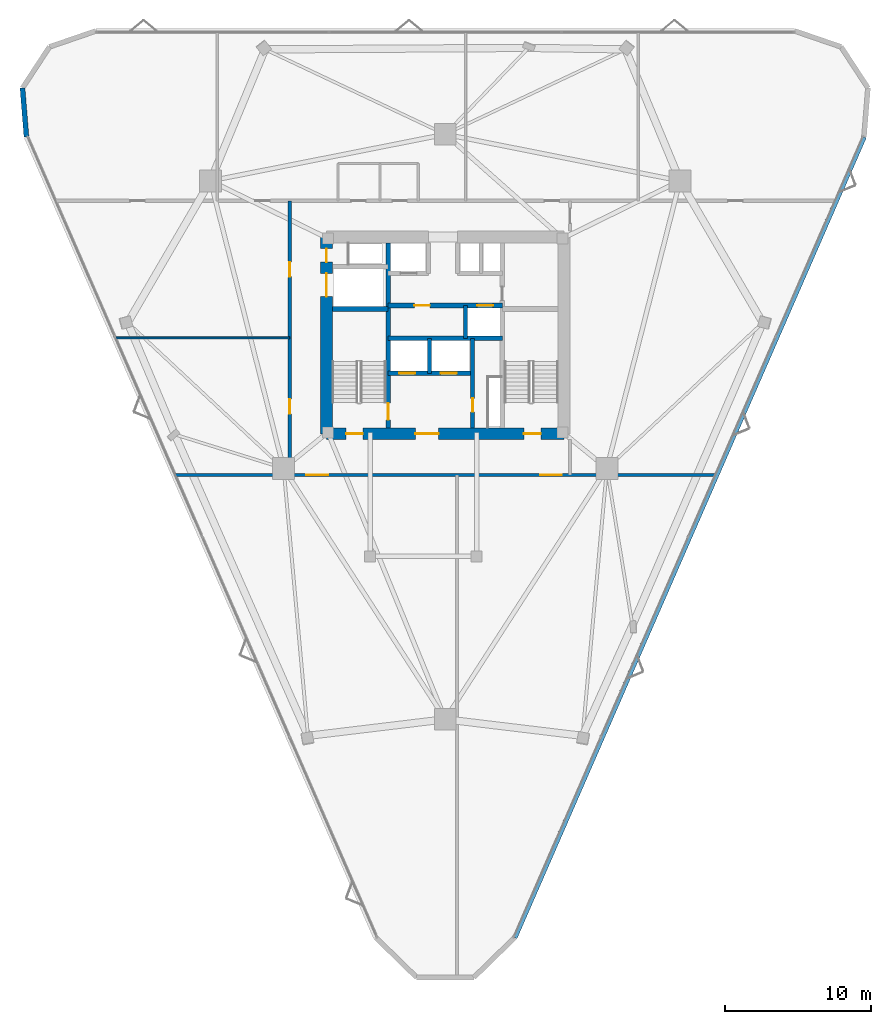
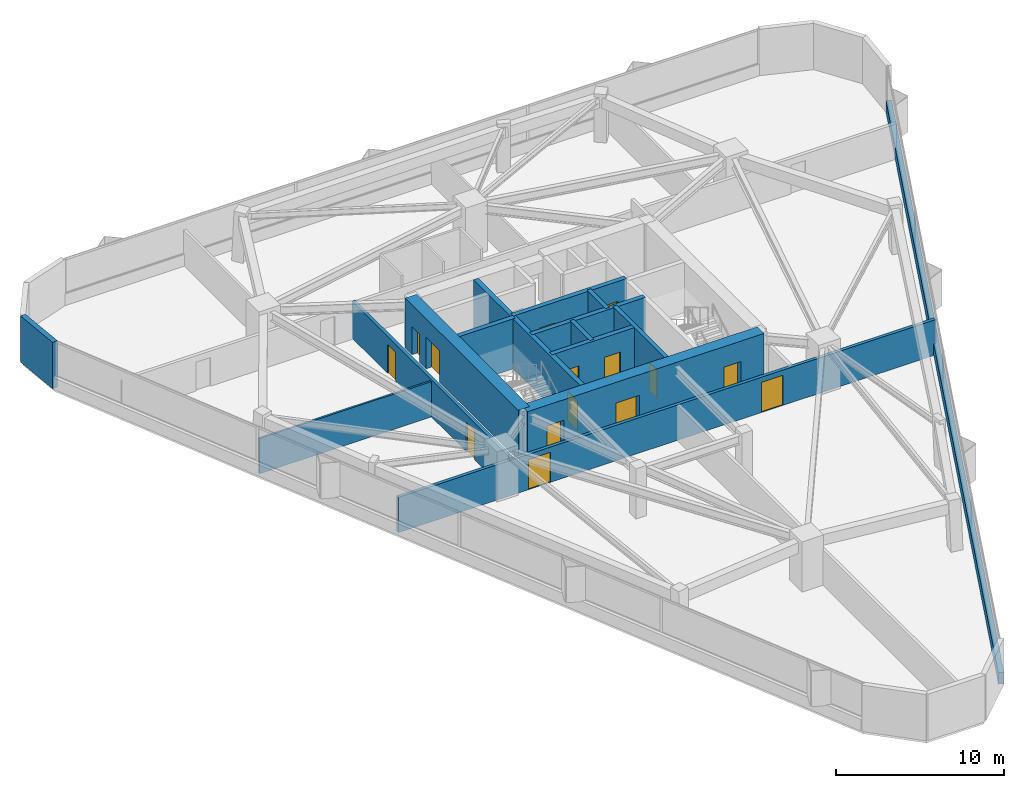
# One storey, part 12 of 14: 15 doors, 15 walls, 15 openings.
"""IFC4 building model written with IfcOpenShell, lengths in metres."""

from ifc_helpers import new_model, si_unit, direction, frame, frame_2d, origin, place, context, subcontext, project, spatial, rectangle, extrude, material, layer, layer_set, type_object, element, fill, save


model = new_model("IFC4")

# Units and contexts
model_context = context("Model", 3, precision=1e-05, world=origin(), true_north=direction((0.0, 1.0)))
body_context = subcontext(model_context, "Body", "Model", "MODEL_VIEW")
ifc_project = project(units=[si_unit("LENGTHUNIT", "METRE"), si_unit("AREAUNIT", "SQUARE_METRE"), si_unit("VOLUMEUNIT", "CUBIC_METRE"), si_unit("PLANEANGLEUNIT", "RADIAN"), si_unit("MASSUNIT", "GRAM", prefix="KILO")], contexts=[model_context])

# Site, building, storey
site_placement = place(None, origin())
site = spatial("IfcSite", under=ifc_project, at=site_placement, CompositionType="ELEMENT")
building_placement = place(site_placement, origin())
building = spatial("IfcBuilding", under=site, at=building_placement, Name="Talyreon Biosciences Tower", CompositionType="ELEMENT")
storey_placement = place(building_placement, frame((0.0, 0.0, 138.14990234375)))
storey = spatial("IfcBuildingStorey", under=building, at=storey_placement, Name="L36", CompositionType="ELEMENT", Elevation=138.14990234375)

# Wall
ifc_material_1 = material(Name="Concrete C50/60", Category="concrete")
ifc_layer_1 = layer(ifc_material_1, 0.280029296875)
ifc_layer_set_1 = layer_set([ifc_layer_1], Name="Concrete C50/60")
wall_type_1 = type_object("IfcWallType", Name="CoreShearWall_280", PredefinedType="SHEAR", material=ifc_layer_set_1)
wall_1_placement = place(storey_placement, frame((64.919921875, 65.39990234375, 0.0), z_axis=(0.0, 0.0, 1.0), x_axis=(0.0, 1.0, 0.0)))
element("IfcWall", 1, at=wall_1_placement, inside=storey, type_object=wall_type_1, Name="L36 Core Shaft Wall SWSHD1", PredefinedType="SHEAR", context=body_context, shape_type="SweptSolid", body=[
    extrude(rectangle(XDim=2.400146484375, YDim=0.280029296875, at=frame_2d((1.2001953125, 0.0))), origin(), (0.0, 0.0, 1.0), 3.650146484375),
])

# Wall, opening, door
wall_2_placement = place(storey_placement, frame((67.8798828125, 61.64990234375, 0.0), z_axis=(0.0, 0.0, 1.0), x_axis=(0.0, 1.0, 0.0)))
wall_2 = element("IfcWall", 2, at=wall_2_placement, inside=storey, type_object=wall_type_1, Name="L36 Core Shaft Wall SWFFE", PredefinedType="SHEAR", context=body_context, shape_type="SweptSolid", body=[
    extrude(rectangle(XDim=6.150146484375, YDim=0.280029296875, at=frame_2d((3.0751953125, 0.0))), origin(), (0.0, 0.0, 1.0), 3.650146484375),
])
opening_1_placement = place(wall_2_placement, frame((1.10009765625, 0.0, 0.0)))
opening_1 = element("IfcOpeningElement", 3, at=opening_1_placement, cuts=wall_2, Name="Opening DR-L36-RSE", PredefinedType="OPENING", context=body_context, shape_type="SweptSolid", body=[
    extrude(rectangle(XDim=0.919921875, YDim=2.050048828125, at=frame_2d((0.4599609375, 1.02490234375))), frame((0.0, 0.14990234375, 0.0), z_axis=(0.0, -1.0, 0.0), x_axis=(1.0, 0.0, 0.0)), (0.0, 0.0, 1.0), 0.300048828125),
])
ifc_material_2 = material(Name="Painted steel fire-rated riser door", Category="steel")
door_type_1 = type_object("IfcDoorType", Name="RiserPlantAccessDoor_920x2050", OperationType="NOTDEFINED", PredefinedType="DOOR", material=ifc_material_2)
door_1_placement = place(opening_1_placement, origin())
door_1 = element("IfcDoor", 4, at=door_1_placement, inside=storey, type_object=door_type_1, Name="L36 Core Door DR-L36-RSE", OperationType="SINGLE_SWING_RIGHT", OverallHeight=2.050048828125, OverallWidth=0.919921875, PredefinedType="DOOR", context=body_context, shape_type="SweptSolid", body=[
    extrude(rectangle(XDim=0.919921875, YDim=2.050048828125, at=frame_2d((0.4599609375, 1.02490234375))), frame((0.0, 0.02490234375, 0.0), z_axis=(0.0, -1.0, 0.0), x_axis=(1.0, 0.0, 0.0)), (0.0, 0.0, 1.0), 0.050048828125),
])
fill(opening_1, door_1)

# Wall
wall_3_placement = place(storey_placement, frame((67.3798828125, 67.800048828125, 0.0), z_axis=(0.0, 0.0, 1.0), x_axis=(0.0, 1.0, 0.0)))
element("IfcWall", 5, at=wall_3_placement, inside=storey, type_object=wall_type_1, Name="L36 Core Shaft Wall SWPMD", PredefinedType="SHEAR", context=body_context, shape_type="SweptSolid", body=[
    extrude(rectangle(XDim=2.25, YDim=0.280029296875, at=frame_2d((1.125, 0.0))), origin(), (0.0, 0.0, 1.0), 3.650146484375),
])

# Wall, opening, door
ifc_layer_2 = layer(ifc_material_1, 0.320068359375)
ifc_layer_set_2 = layer_set([ifc_layer_2], Name="Concrete C50/60")
wall_type_2 = type_object("IfcWallType", Name="CoreShearWall_320", PredefinedType="SHEAR", material=ifc_layer_set_2)
wall_4_placement = place(storey_placement, frame((62.090087890625, 61.64990234375, 0.0), z_axis=(0.0, 0.0, 1.0), x_axis=(0.0, 1.0, 0.0)))
wall_4 = element("IfcWall", 6, at=wall_4_placement, inside=storey, type_object=wall_type_2, Name="L36 Core Shaft Wall SW1E", PredefinedType="SHEAR", context=body_context, shape_type="SweptSolid", body=[
    extrude(rectangle(XDim=12.7001953125, YDim=0.320068359375, at=frame_2d((6.35009765625, 0.0))), origin(), (0.0, 0.0, 1.0), 3.650146484375),
])
opening_2_placement = place(wall_4_placement, frame((0.550048828125, 0.0, 0.0)))
opening_2 = element("IfcOpeningElement", 7, at=opening_2_placement, cuts=wall_4, Name="Opening DR-L36-FF-ST1", PredefinedType="OPENING", context=body_context, shape_type="SweptSolid", body=[
    extrude(rectangle(XDim=1.14990234375, YDim=2.14990234375, at=frame_2d((0.574951171875, 1.074951171875))), frame((0.0, 0.169921875, 0.0), z_axis=(0.0, -1.0, 0.0), x_axis=(1.0, 0.0, 0.0)), (0.0, 0.0, 1.0), 0.340087890625),
])
ifc_material_3 = material(Name="Painted steel fire door", Category="steel")
door_type_2 = type_object("IfcDoorType", Name="StairShaftFireDoor_1150x2150", OperationType="NOTDEFINED", PredefinedType="DOOR", material=ifc_material_3)
door_2_placement = place(opening_2_placement, origin())
door_2 = element("IfcDoor", 8, at=door_2_placement, inside=storey, type_object=door_type_2, Name="L36 Core Door DR-L36-FF-ST1", OperationType="SINGLE_SWING_LEFT", OverallHeight=2.14990234375, OverallWidth=1.14990234375, PredefinedType="DOOR", context=body_context, shape_type="SweptSolid", body=[
    extrude(rectangle(XDim=1.14990234375, YDim=2.14990234375, at=frame_2d((0.574951171875, 1.074951171875))), frame((0.0, 0.02490234375, 0.0), z_axis=(0.0, -1.0, 0.0), x_axis=(1.0, 0.0, 0.0)), (0.0, 0.0, 1.0), 0.050048828125),
])
fill(opening_2, door_2)

# Walls
wall_5_placement = place(storey_placement, frame((58.25, 69.81005859375, 0.0), z_axis=(0.0, 0.0, 1.0), x_axis=(1.0, 0.0, 0.0)))
element("IfcWall", 9, at=wall_5_placement, inside=storey, type_object=wall_type_2, Name="L36 Core Shaft Wall SW1N", PredefinedType="SHEAR", context=body_context, shape_type="SweptSolid", body=[
    extrude(rectangle(XDim=3.840087890625, YDim=0.320068359375, at=frame_2d((1.919921875, 0.0))), origin(), (0.0, 0.0, 1.0), 3.650146484375),
])
wall_6_placement = place(storey_placement, frame((62.090087890625, 67.800048828125, 0.0), z_axis=(0.0, 0.0, 1.0), x_axis=(1.0, 0.0, 0.0)))
element("IfcWall", 10, at=wall_6_placement, inside=storey, type_object=wall_type_2, Name="L36 Core Shaft Wall SWSHM", PredefinedType="SHEAR", context=body_context, shape_type="SweptSolid", body=[
    extrude(rectangle(XDim=7.81982421875, YDim=0.320068359375, at=frame_2d((3.909912109375, 0.0))), origin(), (0.0, 0.0, 1.0), 3.650146484375),
])

# Wall, openings, doors
wall_7_placement = place(storey_placement, frame((62.090087890625, 70.050048828125, 0.0), z_axis=(0.0, 0.0, 1.0), x_axis=(1.0, 0.0, 0.0)))
wall_7 = element("IfcWall", 11, at=wall_7_placement, inside=storey, type_object=wall_type_2, Name="L36 Core Shaft Wall SWSPN", PredefinedType="SHEAR", context=body_context, shape_type="SweptSolid", body=[
    extrude(rectangle(XDim=7.81982421875, YDim=0.320068359375, at=frame_2d((3.909912109375, 0.0))), origin(), (0.0, 0.0, 1.0), 3.650146484375),
])
opening_3_placement = place(wall_7_placement, frame((1.800048828125, 0.0, 0.0)))
opening_3 = element("IfcOpeningElement", 12, at=opening_3_placement, cuts=wall_7, Name="Opening DR-L36-PLFREE-A", PredefinedType="OPENING", context=body_context, shape_type="SweptSolid", body=[
    extrude(rectangle(XDim=1.050048828125, YDim=2.14990234375, at=frame_2d((0.52490234375, 1.074951171875))), frame((0.0, 0.169921875, 0.0), z_axis=(0.0, -1.0, 0.0), x_axis=(1.0, 0.0, 0.0)), (0.0, 0.0, 1.0), 0.340087890625),
])
opening_4_placement = place(wall_7_placement, frame((6.10009765625, 0.0, 0.0)))
opening_4 = element("IfcOpeningElement", 13, at=opening_4_placement, cuts=wall_7, Name="Opening LD-L36-PM1", PredefinedType="OPENING", context=body_context, shape_type="SweptSolid", body=[
    extrude(rectangle(XDim=1.10009765625, YDim=2.199951171875, at=frame_2d((0.550048828125, 1.10009765625))), frame((0.0, 0.169921875, 0.0), z_axis=(0.0, -1.0, 0.0), x_axis=(1.0, 0.0, 0.0)), (0.0, 0.0, 1.0), 0.340087890625),
])
ifc_material_4 = material(Name="Acoustic timber-core laboratory door", Category="wood")
door_type_3 = type_object("IfcDoorType", Name="DryLabSingleDoor_1050x2150", OperationType="NOTDEFINED", PredefinedType="DOOR", material=ifc_material_4)
door_3_placement = place(opening_3_placement, origin())
door_3 = element("IfcDoor", 14, at=door_3_placement, inside=storey, type_object=door_type_3, Name="L36 Core Door DR-L36-PLFREE-A", OperationType="SINGLE_SWING_LEFT", OverallHeight=2.14990234375, OverallWidth=1.050048828125, PredefinedType="DOOR", context=body_context, shape_type="SweptSolid", body=[
    extrude(rectangle(XDim=1.050048828125, YDim=2.14990234375, at=frame_2d((0.52490234375, 1.074951171875))), frame((0.0, 0.02490234375, 0.0), z_axis=(0.0, -1.0, 0.0), x_axis=(1.0, 0.0, 0.0)), (0.0, 0.0, 1.0), 0.050048828125),
])
fill(opening_3, door_3)
ifc_material_5 = material(Name="Brushed stainless-steel lift landing door", Category="steel")
door_type_4 = type_object("IfcDoorType", Name="LiftSlidingLandingDoor_1100x2200", OperationType="SLIDING_TO_LEFT", PredefinedType="DOOR", material=ifc_material_5)
door_4_placement = place(opening_4_placement, origin())
door_4 = element("IfcDoor", 15, at=door_4_placement, inside=storey, type_object=door_type_4, Name="L36 Core Door LD-L36-PM1", OperationType="SLIDING_TO_LEFT", OverallHeight=2.199951171875, OverallWidth=1.10009765625, PredefinedType="DOOR", context=body_context, shape_type="SweptSolid", body=[
    extrude(rectangle(XDim=1.10009765625, YDim=2.199951171875, at=frame_2d((0.550048828125, 1.10009765625))), frame((0.0, 0.02490234375, 0.0), z_axis=(0.0, -1.0, 0.0), x_axis=(1.0, 0.0, 0.0)), (0.0, 0.0, 1.0), 0.050048828125),
])
fill(opening_4, door_4)

wall_8_placement = place(storey_placement, frame((62.090087890625, 65.39990234375, 0.0), z_axis=(0.0, 0.0, 1.0), x_axis=(1.0, 0.0, 0.0)))
wall_8 = element("IfcWall", 16, at=wall_8_placement, inside=storey, type_object=wall_type_2, Name="L36 Core Shaft Wall SWFFN", PredefinedType="SHEAR", context=body_context, shape_type="SweptSolid", body=[
    extrude(rectangle(XDim=5.789794921875, YDim=0.320068359375, at=frame_2d((2.89501953125, 0.0))), origin(), (0.0, 0.0, 1.0), 3.650146484375),
])
opening_5_placement = place(wall_8_placement, frame((0.75, 0.0, 0.0)))
opening_5 = element("IfcOpeningElement", 17, at=opening_5_placement, cuts=wall_8, Name="Opening LD-L36-FL1", PredefinedType="OPENING", context=body_context, shape_type="SweptSolid", body=[
    extrude(rectangle(XDim=1.10009765625, YDim=2.199951171875, at=frame_2d((0.550048828125, 1.10009765625))), frame((0.0, 0.169921875, 0.0), z_axis=(0.0, -1.0, 0.0), x_axis=(1.0, 0.0, 0.0)), (0.0, 0.0, 1.0), 0.340087890625),
])
opening_6_placement = place(wall_8_placement, frame((3.60009765625, 0.0, 0.0)))
opening_6 = element("IfcOpeningElement", 18, at=opening_6_placement, cuts=wall_8, Name="Opening LD-L36-FL2", PredefinedType="OPENING", context=body_context, shape_type="SweptSolid", body=[
    extrude(rectangle(XDim=1.10009765625, YDim=2.199951171875, at=frame_2d((0.550048828125, 1.10009765625))), frame((0.0, 0.169921875, 0.0), z_axis=(0.0, -1.0, 0.0), x_axis=(1.0, 0.0, 0.0)), (0.0, 0.0, 1.0), 0.340087890625),
])
door_5_placement = place(opening_5_placement, origin())
door_5 = element("IfcDoor", 19, at=door_5_placement, inside=storey, type_object=door_type_4, Name="L36 Core Door LD-L36-FL1", OperationType="SLIDING_TO_LEFT", OverallHeight=2.199951171875, OverallWidth=1.10009765625, PredefinedType="DOOR", context=body_context, shape_type="SweptSolid", body=[
    extrude(rectangle(XDim=1.10009765625, YDim=2.199951171875, at=frame_2d((0.550048828125, 1.10009765625))), frame((0.0, 0.02490234375, 0.0), z_axis=(0.0, -1.0, 0.0), x_axis=(1.0, 0.0, 0.0)), (0.0, 0.0, 1.0), 0.050048828125),
])
fill(opening_5, door_5)
door_6_placement = place(opening_6_placement, origin())
door_6 = element("IfcDoor", 20, at=door_6_placement, inside=storey, type_object=door_type_4, Name="L36 Core Door LD-L36-FL2", OperationType="SLIDING_TO_LEFT", OverallHeight=2.199951171875, OverallWidth=1.10009765625, PredefinedType="DOOR", context=body_context, shape_type="SweptSolid", body=[
    extrude(rectangle(XDim=1.10009765625, YDim=2.199951171875, at=frame_2d((0.550048828125, 1.10009765625))), frame((0.0, 0.02490234375, 0.0), z_axis=(0.0, -1.0, 0.0), x_axis=(1.0, 0.0, 0.0)), (0.0, 0.0, 1.0), 0.050048828125),
])
fill(opening_6, door_6)

ifc_material_6 = material(Name="Concrete C60/75", Category="concrete")
ifc_layer_3 = layer(ifc_material_6, 0.800048828125)
ifc_layer_set_3 = layer_set([ifc_layer_3], Name="Concrete C60/75")
wall_type_3 = type_object("IfcWallType", Name="CoreShearWall_800", PredefinedType="SHEAR", material=ifc_layer_set_3)
wall_9_placement = place(storey_placement, frame((57.85009765625, 61.25, 0.0), z_axis=(0.0, 0.0, 1.0), x_axis=(1.0, 0.0, 0.0)))
wall_9 = element("IfcWall", 21, at=wall_9_placement, inside=storey, type_object=wall_type_3, Name="L36 Core Shear Wall S", PredefinedType="SHEAR", context=body_context, shape_type="SweptSolid", body=[
    extrude(rectangle(XDim=16.2998046875, YDim=0.800048828125, at=frame_2d((8.14990234375, 0.0))), origin(), (0.0, 0.0, 1.0), 3.650146484375),
])
opening_7_placement = place(wall_9_placement, frame((1.35009765625, 0.0, 0.0)))
opening_7 = element("IfcOpeningElement", 22, at=opening_7_placement, cuts=wall_9, Name="Opening DR-L36-ST1", PredefinedType="OPENING", context=body_context, shape_type="SweptSolid", body=[
    extrude(rectangle(XDim=1.14990234375, YDim=2.14990234375, at=frame_2d((0.574951171875, 1.074951171875))), frame((0.0, 0.409912109375, 0.0), z_axis=(0.0, -1.0, 0.0), x_axis=(1.0, 0.0, 0.0)), (0.0, 0.0, 1.0), 0.820068359375),
])
opening_8_placement = place(wall_9_placement, frame((6.10009765625, 0.0, 0.0)))
opening_8 = element("IfcOpeningElement", 23, at=opening_8_placement, cuts=wall_9, Name="Opening DR-L36-FFL", PredefinedType="OPENING", context=body_context, shape_type="SweptSolid", body=[
    extrude(rectangle(XDim=1.60009765625, YDim=2.14990234375, at=frame_2d((0.800048828125, 1.074951171875))), frame((0.0, 0.409912109375, 0.0), z_axis=(0.0, -1.0, 0.0), x_axis=(1.0, 0.0, 0.0)), (0.0, 0.0, 1.0), 0.820068359375),
])
opening_9_placement = place(wall_9_placement, frame((13.550048828125, 0.0, 0.0)))
opening_9 = element("IfcOpeningElement", 24, at=opening_9_placement, cuts=wall_9, Name="Opening DR-L36-ST2", PredefinedType="OPENING", context=body_context, shape_type="SweptSolid", body=[
    extrude(rectangle(XDim=1.14990234375, YDim=2.14990234375, at=frame_2d((0.574951171875, 1.074951171875))), frame((0.0, 0.409912109375, 0.0), z_axis=(0.0, -1.0, 0.0), x_axis=(1.0, 0.0, 0.0)), (0.0, 0.0, 1.0), 0.820068359375),
])
ifc_material_7 = material(Name="Painted steel smoke-seal fire door", Category="steel")
door_type_5 = type_object("IfcDoorType", Name="FirefightingLobbyDoubleDoor_1600x2150", OperationType="DOUBLE_DOOR_SINGLE_SWING", PredefinedType="DOOR", material=ifc_material_7)
door_7_placement = place(opening_8_placement, origin())
door_7 = element("IfcDoor", 25, at=door_7_placement, inside=storey, type_object=door_type_5, Name="L36 Core Door DR-L36-FFL", OperationType="DOUBLE_DOOR_SINGLE_SWING", OverallHeight=2.14990234375, OverallWidth=1.60009765625, PredefinedType="DOOR", context=body_context, shape_type="SweptSolid", body=[
    extrude(rectangle(XDim=1.60009765625, YDim=2.14990234375, at=frame_2d((0.800048828125, 1.074951171875))), frame((0.0, 0.02490234375, 0.0), z_axis=(0.0, -1.0, 0.0), x_axis=(1.0, 0.0, 0.0)), (0.0, 0.0, 1.0), 0.050048828125),
])
fill(opening_8, door_7)
door_8_placement = place(opening_7_placement, origin())
door_8 = element("IfcDoor", 26, at=door_8_placement, inside=storey, type_object=door_type_2, Name="L36 Core Door DR-L36-ST1", OperationType="SINGLE_SWING_LEFT", OverallHeight=2.14990234375, OverallWidth=1.14990234375, PredefinedType="DOOR", context=body_context, shape_type="SweptSolid", body=[
    extrude(rectangle(XDim=1.14990234375, YDim=2.14990234375, at=frame_2d((0.574951171875, 1.074951171875))), frame((0.0, 0.02490234375, 0.0), z_axis=(0.0, -1.0, 0.0), x_axis=(1.0, 0.0, 0.0)), (0.0, 0.0, 1.0), 0.050048828125),
])
fill(opening_7, door_8)
door_9_placement = place(opening_9_placement, origin())
door_9 = element("IfcDoor", 27, at=door_9_placement, inside=storey, type_object=door_type_2, Name="L36 Core Door DR-L36-ST2", OperationType="SINGLE_SWING_RIGHT", OverallHeight=2.14990234375, OverallWidth=1.14990234375, PredefinedType="DOOR", context=body_context, shape_type="SweptSolid", body=[
    extrude(rectangle(XDim=1.14990234375, YDim=2.14990234375, at=frame_2d((0.574951171875, 1.074951171875))), frame((0.0, 0.02490234375, 0.0), z_axis=(0.0, -1.0, 0.0), x_axis=(1.0, 0.0, 0.0)), (0.0, 0.0, 1.0), 0.050048828125),
])
fill(opening_9, door_9)

wall_10_placement = place(storey_placement, frame((57.85009765625, 74.75, 0.0), z_axis=(0.0, 0.0, 1.0), x_axis=(0.0, -1.0, 0.0)))
wall_10 = element("IfcWall", 28, at=wall_10_placement, inside=storey, type_object=wall_type_3, Name="L36 Core Shear Wall W", PredefinedType="SHEAR", context=body_context, shape_type="SweptSolid", body=[
    extrude(rectangle(XDim=13.5, YDim=0.800048828125, at=frame_2d((6.75, 0.0))), origin(), (0.0, 0.0, 1.0), 3.650146484375),
])
opening_10_placement = place(wall_10_placement, frame((0.800048828125, 0.0, 0.0)))
opening_10 = element("IfcOpeningElement", 29, at=opening_10_placement, cuts=wall_10, Name="Opening DR-L36-RSW", PredefinedType="OPENING", context=body_context, shape_type="SweptSolid", body=[
    extrude(rectangle(XDim=0.919921875, YDim=2.050048828125, at=frame_2d((0.4599609375, 1.02490234375))), frame((0.0, 0.409912109375, 0.0), z_axis=(0.0, -1.0, 0.0), x_axis=(1.0, 0.0, 0.0)), (0.0, 0.0, 1.0), 0.820068359375),
])
opening_11_placement = place(wall_10_placement, frame((2.5, 0.0, 0.0)))
opening_11 = element("IfcOpeningElement", 30, at=opening_11_placement, cuts=wall_10, Name="Opening LD-L36-GL1", PredefinedType="OPENING", context=body_context, shape_type="SweptSolid", body=[
    extrude(rectangle(XDim=1.60009765625, YDim=2.300048828125, at=frame_2d((0.800048828125, 1.14990234375))), frame((0.0, 0.409912109375, 0.0), z_axis=(0.0, -1.0, 0.0), x_axis=(1.0, 0.0, 0.0)), (0.0, 0.0, 1.0), 0.820068359375),
])
ifc_material_8 = material(Name="Heavy-duty stainless-steel goods lift door", Category="steel")
door_type_6 = type_object("IfcDoorType", Name="GoodsLiftSlidingDoor_1600x2300", OperationType="DOUBLE_DOOR_SLIDING", PredefinedType="DOOR", material=ifc_material_8)
door_10_placement = place(opening_11_placement, origin())
door_10 = element("IfcDoor", 31, at=door_10_placement, inside=storey, type_object=door_type_6, Name="L36 Core Door LD-L36-GL1", OperationType="DOUBLE_DOOR_SLIDING", OverallHeight=2.300048828125, OverallWidth=1.60009765625, PredefinedType="DOOR", context=body_context, shape_type="SweptSolid", body=[
    extrude(rectangle(XDim=1.60009765625, YDim=2.300048828125, at=frame_2d((0.800048828125, 1.14990234375))), frame((0.0, 0.02490234375, 0.0), z_axis=(0.0, -1.0, 0.0), x_axis=(1.0, 0.0, 0.0)), (0.0, 0.0, 1.0), 0.050048828125),
])
fill(opening_11, door_10)
door_11_placement = place(opening_10_placement, origin())
door_11 = element("IfcDoor", 32, at=door_11_placement, inside=storey, type_object=door_type_1, Name="L36 Core Door DR-L36-RSW", OperationType="SINGLE_SWING_LEFT", OverallHeight=2.050048828125, OverallWidth=0.919921875, PredefinedType="DOOR", context=body_context, shape_type="SweptSolid", body=[
    extrude(rectangle(XDim=0.919921875, YDim=2.050048828125, at=frame_2d((0.4599609375, 1.02490234375))), frame((0.0, 0.02490234375, 0.0), z_axis=(0.0, -1.0, 0.0), x_axis=(1.0, 0.0, 0.0)), (0.0, 0.0, 1.0), 0.050048828125),
])
fill(opening_10, door_11)

ifc_material_9 = material(Name="Gypsum fireboard acoustic stud", Category="gypsum")
ifc_layer_4 = layer(ifc_material_9, 0.219970703125)
ifc_layer_set_4 = layer_set([ifc_layer_4], Name="Gypsum fireboard acoustic stud")
wall_type_4 = type_object("IfcWallType", Name="CorridorRatedPartition_220", PredefinedType="PARTITIONING", material=ifc_layer_set_4)
wall_11_placement = place(storey_placement, frame((47.48486328125, 58.419921875, 0.0), z_axis=(0.0, 0.0, 1.0), x_axis=(1.0, 0.0, 0.0)))
wall_11 = element("IfcWall", 33, at=wall_11_placement, inside=storey, type_object=wall_type_4, Name="L36 Interior Wall IW-L36-COR-S", PredefinedType="PARTITIONING", context=body_context, shape_type="SweptSolid", body=[
    extrude(rectangle(XDim=37.0302734375, YDim=0.219970703125, at=frame_2d((18.51513671875, 0.0))), origin(), (0.0, 0.0, 1.0), 2.5751953125),
])
opening_12_placement = place(wall_11_placement, frame((8.98291015625, 0.0, 0.0)))
opening_12 = element("IfcOpeningElement", 34, at=opening_12_placement, cuts=wall_11, Name="Opening DR-L36-S1A", PredefinedType="OPENING", context=body_context, shape_type="SweptSolid", body=[
    extrude(rectangle(XDim=1.5, YDim=2.199951171875, at=frame_2d((0.75, 1.10009765625))), frame((0.0, 0.119873046875, 0.0), z_axis=(0.0, -1.0, 0.0), x_axis=(1.0, 0.0, 0.0)), (0.0, 0.0, 1.0), 0.239990234375),
])
opening_13_placement = place(wall_11_placement, frame((25.01904296875, 0.0, 0.0)))
opening_13 = element("IfcOpeningElement", 35, at=opening_13_placement, cuts=wall_11, Name="Opening DR-L36-S2A", PredefinedType="OPENING", context=body_context, shape_type="SweptSolid", body=[
    extrude(rectangle(XDim=1.5, YDim=2.199951171875, at=frame_2d((0.75, 1.10009765625))), frame((0.0, 0.119873046875, 0.0), z_axis=(0.0, -1.0, 0.0), x_axis=(1.0, 0.0, 0.0)), (0.0, 0.0, 1.0), 0.239990234375),
])
ifc_material_10 = material(Name="Vision-panel steel laboratory fire door", Category="steel")
door_type_7 = type_object("IfcDoorType", Name="WetLabDoubleLeafDoor_1500x2200", OperationType="DOUBLE_DOOR_SINGLE_SWING", PredefinedType="DOOR", material=ifc_material_10)
door_12_placement = place(opening_12_placement, origin())
door_12 = element("IfcDoor", 36, at=door_12_placement, inside=storey, type_object=door_type_7, Name="L36 Interior Door DR-L36-S1A", OperationType="DOUBLE_DOOR_SINGLE_SWING", OverallHeight=2.199951171875, OverallWidth=1.5, PredefinedType="DOOR", context=body_context, shape_type="SweptSolid", body=[
    extrude(rectangle(XDim=1.5, YDim=2.199951171875, at=frame_2d((0.75, 1.10009765625))), frame((0.0, 0.02490234375, 0.0), z_axis=(0.0, -1.0, 0.0), x_axis=(1.0, 0.0, 0.0)), (0.0, 0.0, 1.0), 0.050048828125),
])
fill(opening_12, door_12)
door_13_placement = place(opening_13_placement, origin())
door_13 = element("IfcDoor", 37, at=door_13_placement, inside=storey, type_object=door_type_7, Name="L36 Interior Door DR-L36-S2A", OperationType="DOUBLE_DOOR_SINGLE_SWING", OverallHeight=2.199951171875, OverallWidth=1.5, PredefinedType="DOOR", context=body_context, shape_type="SweptSolid", body=[
    extrude(rectangle(XDim=1.5, YDim=2.199951171875, at=frame_2d((0.75, 1.10009765625))), frame((0.0, 0.02490234375, 0.0), z_axis=(0.0, -1.0, 0.0), x_axis=(1.0, 0.0, 0.0)), (0.0, 0.0, 1.0), 0.050048828125),
])
fill(opening_13, door_13)

wall_12_placement = place(storey_placement, frame((55.330078125, 58.419921875, 0.0), z_axis=(0.0, 0.0, 1.0), x_axis=(0.0, 1.0, 0.0)))
wall_12 = element("IfcWall", 38, at=wall_12_placement, inside=storey, type_object=wall_type_4, Name="L36 Interior Wall IW-L36-COR-W", PredefinedType="PARTITIONING", context=body_context, shape_type="SweptSolid", body=[
    extrude(rectangle(XDim=18.81005859375, YDim=0.219970703125, at=frame_2d((9.405029296875, 0.0))), origin(), (0.0, 0.0, 1.0), 2.705078125),
])
opening_14_placement = place(wall_12_placement, frame((4.202880859375, 0.0, 0.0)))
opening_14 = element("IfcOpeningElement", 39, at=opening_14_placement, cuts=wall_12, Name="Opening DR-L36-W1A", PredefinedType="OPENING", context=body_context, shape_type="SweptSolid", body=[
    extrude(rectangle(XDim=1.0, YDim=2.10009765625, at=frame_2d((0.5, 1.050048828125))), frame((0.0, 0.119873046875, 0.0), z_axis=(0.0, -1.0, 0.0), x_axis=(1.0, 0.0, 0.0)), (0.0, 0.0, 1.0), 0.239990234375),
])
opening_15_placement = place(wall_12_placement, frame((13.60791015625, 0.0, 0.0)))
opening_15 = element("IfcOpeningElement", 40, at=opening_15_placement, cuts=wall_12, Name="Opening DR-L36-W2A", PredefinedType="OPENING", context=body_context, shape_type="SweptSolid", body=[
    extrude(rectangle(XDim=1.0, YDim=2.10009765625, at=frame_2d((0.5, 1.050048828125))), frame((0.0, 0.119873046875, 0.0), z_axis=(0.0, -1.0, 0.0), x_axis=(1.0, 0.0, 0.0)), (0.0, 0.0, 1.0), 0.239990234375),
])
ifc_material_11 = material(Name="Acoustic oak veneer office door", Category="wood")
door_type_8 = type_object("IfcDoorType", Name="WriteupOfficeDoor_1000x2100", OperationType="NOTDEFINED", PredefinedType="DOOR", material=ifc_material_11)
door_14_placement = place(opening_14_placement, origin())
door_14 = element("IfcDoor", 41, at=door_14_placement, inside=storey, type_object=door_type_8, Name="L36 Interior Door DR-L36-W1A", OperationType="SINGLE_SWING_LEFT", OverallHeight=2.10009765625, OverallWidth=1.0, PredefinedType="DOOR", context=body_context, shape_type="SweptSolid", body=[
    extrude(rectangle(XDim=1.0, YDim=2.10009765625, at=frame_2d((0.5, 1.050048828125))), frame((0.0, 0.02490234375, 0.0), z_axis=(0.0, -1.0, 0.0), x_axis=(1.0, 0.0, 0.0)), (0.0, 0.0, 1.0), 0.050048828125),
])
fill(opening_14, door_14)
door_15_placement = place(opening_15_placement, origin())
door_15 = element("IfcDoor", 42, at=door_15_placement, inside=storey, type_object=door_type_8, Name="L36 Interior Door DR-L36-W2A", OperationType="SINGLE_SWING_LEFT", OverallHeight=2.10009765625, OverallWidth=1.0, PredefinedType="DOOR", context=body_context, shape_type="SweptSolid", body=[
    extrude(rectangle(XDim=1.0, YDim=2.10009765625, at=frame_2d((0.5, 1.050048828125))), frame((0.0, 0.02490234375, 0.0), z_axis=(0.0, -1.0, 0.0), x_axis=(1.0, 0.0, 0.0)), (0.0, 0.0, 1.0), 0.050048828125),
])
fill(opening_15, door_15)

# Walls
ifc_material_12 = material(Name="Gypsum acoustic stud partition", Category="gypsum")
ifc_layer_5 = layer(ifc_material_12, 0.1298828125)
ifc_layer_set_5 = layer_set([ifc_layer_5], Name="Gypsum acoustic stud partition")
wall_type_5 = type_object("IfcWallType", Name="OfficeWriteupPartition_130", PredefinedType="PARTITIONING", material=ifc_layer_set_5)
wall_13_placement = place(storey_placement, frame((43.381591796875, 67.824951171875, 0.0), z_axis=(0.0, 0.0, 1.0), x_axis=(1.0, 0.0, 0.0)))
element("IfcWall", 43, at=wall_13_placement, inside=storey, type_object=wall_type_5, Name="L36 Interior Wall IW-L36-WDIV1", PredefinedType="PARTITIONING", context=body_context, shape_type="SweptSolid", body=[
    extrude(rectangle(XDim=11.948486328125, YDim=0.1298828125, at=frame_2d((5.97412109375, 0.0))), origin(), (0.0, 0.0, 1.0), 2.5751953125),
])
ifc_material_13 = material(Name="Precast concrete C45/55", Category="concrete")
ifc_layer_6 = layer(ifc_material_13, 0.340087890625)
ifc_layer_set_6 = layer_set([ifc_layer_6], Name="Precast concrete C45/55")
wall_type_6 = type_object("IfcWallType", Name="PrecastConcreteSpandrelWall_340", PredefinedType="STANDARD", material=ifc_layer_set_6)
wall_14_placement = place(storey_placement, frame((37.276123046875, 81.606689453125, 0.0), z_axis=(0.0, 0.0, 1.0), x_axis=(-0.080901359233, 0.996722112765, 0.0)))
element("IfcWall", 44, at=wall_14_placement, inside=storey, type_object=wall_type_6, Name="L36 Rounded-Corner Concrete Pier 01", PredefinedType="STANDARD", context=body_context, shape_type="SweptSolid", body=[
    extrude(rectangle(XDim=3.373779296875, YDim=0.340087890625, at=frame_2d((1.68701171875, 0.0))), origin(), (0.0, 0.0, 1.0), 3.375),
])
wall_15_placement = place(storey_placement, frame((94.723876953125, 81.606689453125, 0.0), z_axis=(0.0, 0.0, 1.0), x_axis=(-0.399884020411, -0.916565747898, 0.0)))
element("IfcWall", 45, at=wall_15_placement, inside=storey, type_object=wall_type_6, Name="L36 Expressed Concrete Sill Wall 08", PredefinedType="STANDARD", context=body_context, shape_type="SweptSolid", body=[
    extrude(rectangle(XDim=59.911865234375, YDim=0.340087890625, at=frame_2d((29.9560546875, 0.0))), origin(), (0.0, 0.0, 1.0), 0.85009765625),
])

save(model, "model.ifc")
